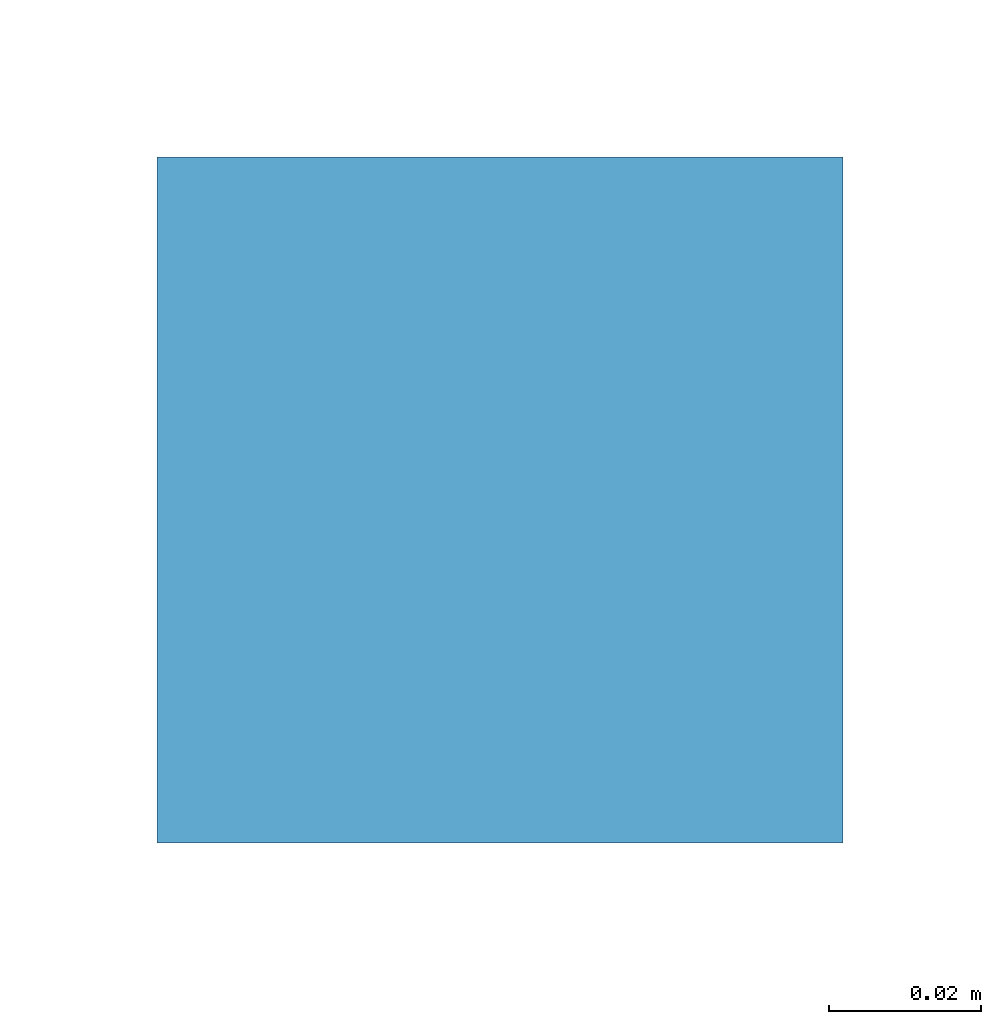
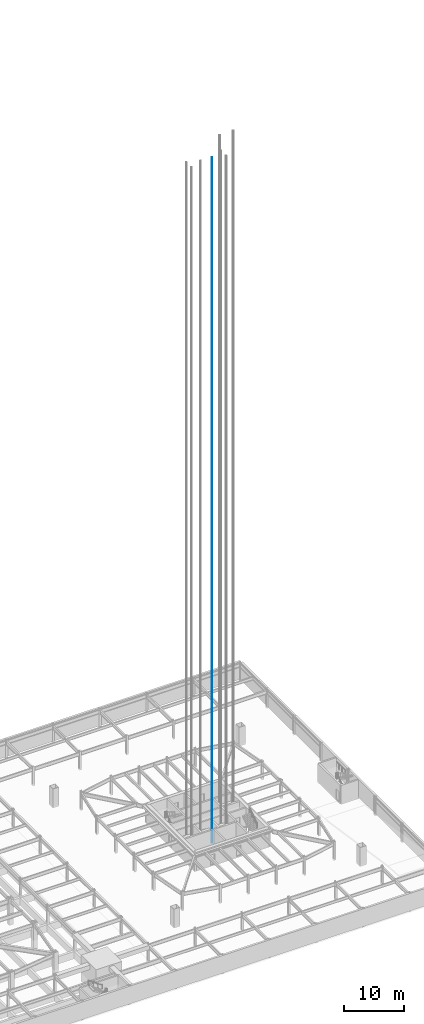
# One storey, part 28 of 35: 1 discrete accessory.
"""IFC4 building model written with IfcOpenShell, lengths in metres."""

from ifc_helpers import new_model, si_unit, direction, frame, origin, origin_2d, place, context, subcontext, project, spatial, rectangle, extrude, material, element, save


model = new_model("IFC4")

# Units and contexts
model_context = context("Model", 3, precision=1e-05, world=origin(), true_north=direction((0.0, 1.0)))
body_context = subcontext(model_context, "Body", "Model", "MODEL_VIEW")
ifc_project = project(units=[si_unit("LENGTHUNIT", "METRE"), si_unit("AREAUNIT", "SQUARE_METRE"), si_unit("VOLUMEUNIT", "CUBIC_METRE"), si_unit("PLANEANGLEUNIT", "RADIAN"), si_unit("MASSUNIT", "GRAM", prefix="KILO")], contexts=[model_context])

# Site, building, storey
site_placement = place(None, origin())
site = spatial("IfcSite", under=ifc_project, at=site_placement, CompositionType="ELEMENT")
building_placement = place(site_placement, origin())
building = spatial("IfcBuilding", under=site, at=building_placement, Name="Iwan Alto Co-Living Towers", CompositionType="ELEMENT")
storey_placement = place(building_placement, frame((0.0, 0.0, -7.199951171875)))
storey = spatial("IfcBuildingStorey", under=building, at=storey_placement, Name="B2", CompositionType="ELEMENT", Elevation=-7.199951171875)

# Discrete accessory
ifc_material = material(Name="Steel ASTM A36", Category="steel")
placement = place(storey_placement, frame((61.300048828125, -2.449951171875, 0.0), z_axis=(0.0, 0.0, 1.0), x_axis=(1.0, 0.0, 0.0)))
discrete_accessory_placement = place(placement, origin())
element("IfcDiscreteAccessory", 1, at=discrete_accessory_placement, inside=storey, material=ifc_material, Name="Lift P5-2 guide rail 2", ObjectType="Lift guide rail", PredefinedType="USERDEFINED", context=body_context, shape_type="SweptSolid", body=[
    extrude(rectangle(XDim=0.09, YDim=0.09, at=origin_2d()), frame((1.10009765625, 0.0, -0.199951171875)), (0.0, 0.0, 1.0), 139.300048828125),
])

save(model, "model.ifc")
